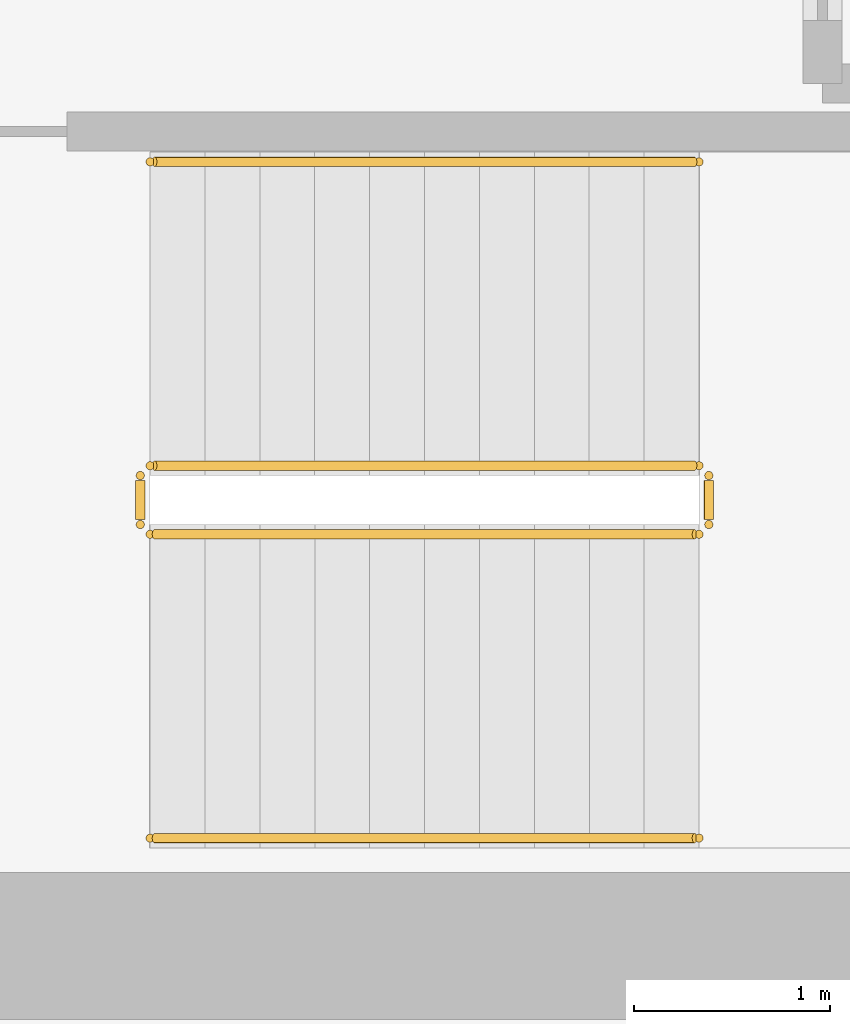
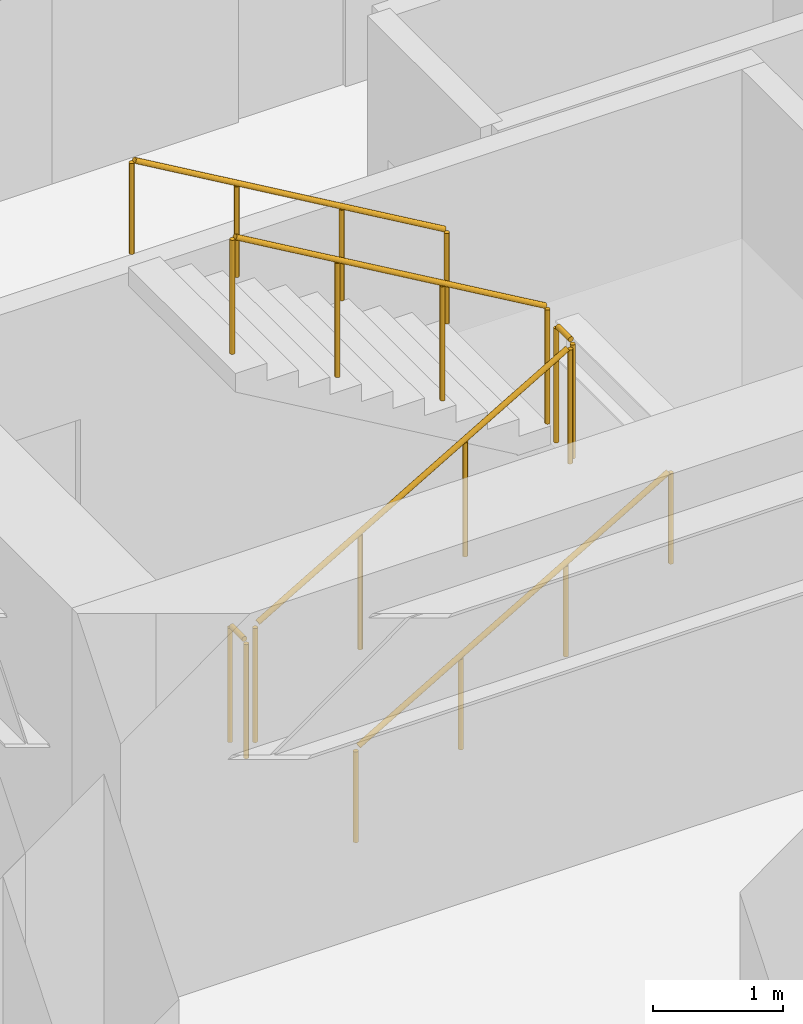
# One storey, part 12 of 12: 6 railings.
"""IFC4 building model written with IfcOpenShell, lengths in metres."""

import ifcopenshell
import ifcopenshell.guid

model = None  # the IFC model being written
_history = None  # IfcOwnerHistory: only IFC2X3 demands one
_inside = {}  # id of a spatial element -> (the spatial element, [elements in it])
_under = {}  # id of a project, library or spatial element -> (it, [spatial elements below it])
_declared = {}  # id of a project -> (the project, [libraries it declares])
_typed = {}  # id of a type object -> (the type object, [elements of that type])
_made_of = {}  # id of a material, layer set ... -> (it, [elements and type objects made of it])


def new_model(schema):
    """Start an empty IFC model of exactly this schema.

    Asked for "IFC4X3", IfcOpenShell would pick the latest addendum, in which some entities
    have other attributes; the version numbers below select the first issue.
    IFC2X3 requires an IfcOwnerHistory on every rooted entity: one is made here for all.
    """
    global model, _history
    if schema == "IFC4X3":
        model = ifcopenshell.file(schema_version=(4, 3, 0, 0))
    else:
        model = ifcopenshell.file(schema=schema)
    _inside.clear()
    _under.clear()
    _declared.clear()
    _typed.clear()
    _made_of.clear()
    _history = None
    if model.schema == "IFC2X3":
        org = make("IfcOrganization", Name="unknown")
        user = make(
            "IfcPersonAndOrganization",
            ThePerson=make("IfcPerson", FamilyName="unknown"),
            TheOrganization=org,
        )
        app = make(
            "IfcApplication",
            ApplicationDeveloper=org,
            Version="unknown",
            ApplicationFullName="unknown",
            ApplicationIdentifier="unknown",
        )
        _history = make(
            "IfcOwnerHistory",
            OwningUser=user,
            OwningApplication=app,
            ChangeAction="ADDED",
            CreationDate=0,
        )
    return model


def make(cls, **values):
    """One entity of the class cls with the attributes given. An attribute that is None is left unset."""
    return model.create_entity(
        cls, **{name: value for name, value in values.items() if value is not None}
    )


def rooted(cls, **values):
    """An entity with a GlobalId (a new one), such as an element, a storey or a relation."""
    return make(cls, GlobalId=ifcopenshell.guid.new(), OwnerHistory=_history, **values)


def si_unit(unit_type, name, prefix=None):
    """IfcSIUnit, for example si_unit("LENGTHUNIT", "METRE", prefix="MILLI")."""
    return make("IfcSIUnit", UnitType=unit_type, Prefix=prefix, Name=name)


def assignment(units):
    """IfcUnitAssignment: the units of a project."""
    return None if units is None else make("IfcUnitAssignment", Units=units)


def point(xyz):
    """IfcCartesianPoint."""
    return None if xyz is None else make("IfcCartesianPoint", Coordinates=xyz)


def direction(xyz):
    """IfcDirection."""
    return None if xyz is None else make("IfcDirection", DirectionRatios=xyz)


def frame(location, z_axis=None, x_axis=None):
    """IfcAxis2Placement3D, a coordinate frame: its origin and axes. An axis left out is left unset."""
    return make(
        "IfcAxis2Placement3D",
        Location=point(location),
        Axis=direction(z_axis),
        RefDirection=direction(x_axis),
    )


def frame_2d(location, x_axis=None):
    """IfcAxis2Placement2D, a coordinate frame in the plane: its origin and x axis."""
    return make(
        "IfcAxis2Placement2D", Location=point(location), RefDirection=direction(x_axis)
    )


def origin():
    """The frame at (0, 0, 0) with its axes left unset."""
    return frame((0.0, 0.0, 0.0))


def origin_2d():
    """The frame at (0, 0) in the plane with its x axis left unset."""
    return frame_2d((0.0, 0.0))


def place(relative_to, where):
    """IfcLocalPlacement: puts the frame where relative to a parent placement (None: the world)."""
    return make(
        "IfcLocalPlacement", PlacementRelTo=relative_to, RelativePlacement=where
    )


def context(
    kind, dimensions, precision=None, world=None, true_north=None, identifier=None
):
    """IfcGeometricRepresentationContext, for example the 3D "Model" context."""
    return make(
        "IfcGeometricRepresentationContext",
        ContextIdentifier=identifier,
        ContextType=kind,
        CoordinateSpaceDimension=dimensions,
        Precision=precision,
        WorldCoordinateSystem=world,
        TrueNorth=true_north,
    )


def subcontext(parent, identifier, kind, view, scale=None):
    """IfcGeometricRepresentationSubContext, for example "Body" below "Model"."""
    return make(
        "IfcGeometricRepresentationSubContext",
        ContextIdentifier=identifier,
        ContextType=kind,
        ParentContext=parent,
        TargetScale=scale,
        TargetView=view,
    )


def project(units=None, contexts=None):
    """IfcProject with its units and contexts."""
    return rooted(
        "IfcProject",
        Name="project",
        RepresentationContexts=contexts,
        UnitsInContext=assignment(units),
    )


def spatial(cls, under=None, at=None, **own):
    """A site, building, storey or space (cls), placed at a placement, below another one or the project."""
    s = rooted(cls, ObjectPlacement=at, **own)
    if under is not None:
        _under.setdefault(under.id(), (under, []))[1].append(s)
    return s


def profile(cls, at=None, kind="AREA", **sizes):
    """A parametric profile (cls). Its sizes go by their IFC names, for example OverallWidth=200.0."""
    return make(cls, ProfileType=kind, Position=at, **sizes)


def circle(**sizes):
    """IfcCircleProfileDef."""
    return profile("IfcCircleProfileDef", **sizes)


def extrude(swept, where, along, depth):
    """IfcExtrudedAreaSolid: the profile swept, set in the frame where, extruded along a direction by depth."""
    return make(
        "IfcExtrudedAreaSolid",
        SweptArea=swept,
        Position=where,
        ExtrudedDirection=direction(along),
        Depth=depth,
    )


def shape(context_of_items, identifier, shape_type, items):
    """IfcShapeRepresentation: the items that make up one representation, for example the "Body"."""
    return make(
        "IfcShapeRepresentation",
        ContextOfItems=context_of_items,
        RepresentationIdentifier=identifier,
        RepresentationType=shape_type,
        Items=items,
    )


def source(mapping_origin, context_of_items, identifier, shape_type, items):
    """IfcRepresentationMap: a shape defined once, which mapped items show again and again."""
    return make(
        "IfcRepresentationMap",
        MappingOrigin=mapping_origin,
        MappedRepresentation=shape(context_of_items, identifier, shape_type, items),
    )


def transform(
    local_origin,
    x_axis=None,
    y_axis=None,
    z_axis=None,
    scale=None,
    scale2=None,
    scale3=None,
    uniform=True,
):
    """IfcCartesianTransformationOperator3D, or its non-uniform kind. x_axis, y_axis, z_axis: its Axis1, 2, 3."""
    if uniform:
        return make(
            "IfcCartesianTransformationOperator3D",
            Axis1=direction(x_axis),
            Axis2=direction(y_axis),
            LocalOrigin=point(local_origin),
            Scale=scale,
            Axis3=direction(z_axis),
        )
    return make(
        "IfcCartesianTransformationOperator3DnonUniform",
        Axis1=direction(x_axis),
        Axis2=direction(y_axis),
        LocalOrigin=point(local_origin),
        Scale=scale,
        Axis3=direction(z_axis),
        Scale2=scale2,
        Scale3=scale3,
    )


def mapped(mapping_source, mapping_target):
    """IfcMappedItem: shows the shape of a source again, moved by a transform."""
    return make(
        "IfcMappedItem", MappingSource=mapping_source, MappingTarget=mapping_target
    )


def material(Name=None, Category=None):
    """IfcMaterial."""
    return make("IfcMaterial", Name=Name, Category=Category)


def layer(
    of_material, thickness, ventilated=None, Name=None, Category=None, Priority=None
):
    """IfcMaterialLayer: one layer of a wall or slab, of a material (None: an air gap)."""
    return make(
        "IfcMaterialLayer",
        Material=of_material,
        LayerThickness=thickness,
        IsVentilated=ventilated,
        Name=Name,
        Category=Category,
        Priority=Priority,
    )


def layer_set(layers, Name=None):
    """IfcMaterialLayerSet."""
    return make("IfcMaterialLayerSet", MaterialLayers=layers, LayerSetName=Name)


def made_of(thing, what):
    """Note that an element or type object is made of a material, layer set ...; save() writes the relation."""
    if what is not None:
        _made_of.setdefault(what.id(), (what, []))[1].append(thing)
    return thing


def type_object(cls, material=None, **own):
    """A type object (cls), such as IfcWallType, which elements share."""
    return made_of(rooted(cls, **own), material)


def element(
    cls,
    number,
    at=None,
    inside=None,
    cuts=None,
    type_object=None,
    material=None,
    context=None,
    identifier="Body",
    shape_type=None,
    held_by="IfcProductDefinitionShape",
    body=None,
    shapes=None,
    **own,
):
    """One element of the class cls, such as IfcWall. Its Tag is "e" and its number.

    at: its placement. inside: the storey or other place that contains it. cuts: it is an
    opening in that element (IfcRelVoidsElement). A single representation is given by context,
    identifier, shape_type and body (its items); several are given by shapes. held_by: the class
    of the entity that holds the representations. save() writes the other relations.
    """
    e = rooted(cls, Tag="e%d" % number, ObjectPlacement=at, **own)
    if body is not None:
        shapes = [shape(context, identifier, shape_type, body)]
    if shapes is not None:
        e.Representation = make(held_by, Representations=shapes)
    if inside is not None:
        _inside.setdefault(inside.id(), (inside, []))[1].append(e)
    if cuts is not None:
        rooted(
            "IfcRelVoidsElement", RelatingBuildingElement=cuts, RelatedOpeningElement=e
        )
    if type_object is not None:
        _typed.setdefault(type_object.id(), (type_object, []))[1].append(e)
    return made_of(e, material)


def aggregate(whole, parts):
    """IfcRelAggregates: a whole, such as a stair, and the parts it consists of."""
    return rooted("IfcRelAggregates", RelatingObject=whole, RelatedObjects=parts)


def save(model, path):
    """Write the relations noted so far, then the file.

    IfcRelAggregates (storeys below a building ...), IfcRelContainedInSpatialStructure (elements
    in a storey), IfcRelDefinesByType, IfcRelAssociatesMaterial and IfcRelDeclares: one each for
    every whole, place, type object, material and project.
    """
    for whole, parts in _under.values():
        aggregate(whole, parts)
    for where, things in _inside.values():
        rooted(
            "IfcRelContainedInSpatialStructure",
            RelatedElements=things,
            RelatingStructure=where,
        )
    for kind, things in _typed.values():
        rooted("IfcRelDefinesByType", RelatedObjects=things, RelatingType=kind)
    for what, things in _made_of.values():
        rooted("IfcRelAssociatesMaterial", RelatedObjects=things, RelatingMaterial=what)
    for by, libraries in _declared.values():
        rooted("IfcRelDeclares", RelatingContext=by, RelatedDefinitions=libraries)
    model.write(path)


model = new_model("IFC4")

# Units and contexts
model_context = context("Model", 3, precision=1e-05, world=origin(), true_north=direction((0.0, 1.0)))
body_context = subcontext(model_context, "Body", "Model", "MODEL_VIEW")
ifc_project = project(units=[si_unit("LENGTHUNIT", "METRE"), si_unit("AREAUNIT", "SQUARE_METRE"), si_unit("VOLUMEUNIT", "CUBIC_METRE"), si_unit("PLANEANGLEUNIT", "RADIAN"), si_unit("MASSUNIT", "GRAM", prefix="KILO")], contexts=[model_context])

# Site, building, storey
site_placement = place(None, origin())
site = spatial("IfcSite", under=ifc_project, at=site_placement, CompositionType="ELEMENT")
building_placement = place(site_placement, origin())
building = spatial("IfcBuilding", under=site, at=building_placement, Name="Kharzan Plaza Tower", CompositionType="ELEMENT")
storey_placement = place(building_placement, frame((0.0, 0.0, 117.0)))
storey = spatial("IfcBuildingStorey", under=building, at=storey_placement, Name="L31", CompositionType="ELEMENT", Elevation=117.0)

# Railings
ifc_material_1 = material(Name="Painted Galvanized Architectural Steel", Category="steel")
ifc_layer_1 = layer(ifc_material_1, 0.074951171875)
ifc_layer_set_1 = layer_set([ifc_layer_1], Name="Painted Galvanized Architectural Steel")
railing_type_1 = type_object("IfcRailingType", Name="RL-GUARD-1120", PredefinedType="BALUSTRADE", material=ifc_layer_set_1)
shared_shape_1 = source(origin(), body_context, "Body", "SweptSolid", [
    extrude(circle(Radius=0.02392578125, at=origin_2d()), frame((0.0, 0.0263671875, 1.09619140625), z_axis=(0.0, 1.0, 0.0), x_axis=(-1.0, 0.0, 0.0)), (0.0, 0.0, 1.0), 0.197021484375),
    extrude(circle(Radius=0.02099609375, at=origin_2d()), origin(), (0.0, 0.0, 1.0), 1.072021484375),
    extrude(circle(Radius=0.02099609375, at=origin_2d()), frame((0.0, 0.25, 0.0)), (0.0, 0.0, 1.0), 1.072021484375),
])
for number, where, name in (
    (1, (41.10009765625, 6.64990234375, 1.800048828125), "L31 ST-3 stair guard 2"),
    (2, (38.199951171875, 6.64990234375, 0.0), "L31 ST-3 stair guard 4"),
):
    element("IfcRailing", number, at=place(storey_placement, frame(where)), inside=storey, type_object=railing_type_1, Name=name, PredefinedType="BALUSTRADE", context=body_context, shape_type="MappedRepresentation", body=[
        mapped(shared_shape_1, transform((0.0, 0.0, 0.0), x_axis=(1.0, 0.0, 0.0), y_axis=(0.0, 1.0, 0.0), z_axis=(0.0, 0.0, 1.0))),
    ])
shared_shape_2 = source(origin(), body_context, "Body", "SweptSolid", [
    extrude(circle(Radius=0.02392578125, at=origin_2d()), frame((0.02294921875, 0.0, 1.109375), z_axis=(0.863360870873, 0.0, 0.504586966384), x_axis=(0.0, 1.0, 0.0)), (0.0, 0.0, 1.0), 3.190185546875),
    extrude(circle(Radius=0.02099609375, at=origin_2d()), origin(), (0.0, 0.0, 1.0), 1.072021484375),
    extrude(circle(Radius=0.02099609375, at=origin_2d()), frame((0.933349609375, 0.0, 0.54541015625)), (0.0, 0.0, 1.0), 1.072021484375),
    extrude(circle(Radius=0.02099609375, at=origin_2d()), frame((1.86669921875, 0.0, 1.091064453125)), (0.0, 0.0, 1.0), 1.072021484375),
    extrude(circle(Radius=0.02099609375, at=origin_2d()), frame((2.800048828125, 0.0, 1.636474609375)), (0.0, 0.0, 1.0), 1.072021484375),
])
railing_1_placement = place(storey_placement, frame((38.25, 6.60009765625, 0.16357421875)))
element("IfcRailing", 3, at=railing_1_placement, inside=storey, type_object=railing_type_1, Name="L31 ST-3 stair guard 1", PredefinedType="BALUSTRADE", context=body_context, shape_type="MappedRepresentation", body=[
    mapped(shared_shape_2, transform((0.0, 0.0, 0.0), x_axis=(1.0, 0.0, 0.0), y_axis=(0.0, 1.0, 0.0), z_axis=(0.0, 0.0, 1.0))),
])
shared_shape_3 = source(origin(), body_context, "Body", "SweptSolid", [
    extrude(circle(Radius=0.02392578125, at=origin_2d()), frame((-0.02294921875, 0.0, 1.109375), z_axis=(-0.863360870873, 0.0, 0.504586966384), x_axis=(0.0, -1.0, 0.0)), (0.0, 0.0, 1.0), 3.190185546875),
    extrude(circle(Radius=0.02099609375, at=origin_2d()), origin(), (0.0, 0.0, 1.0), 1.072021484375),
    extrude(circle(Radius=0.02099609375, at=origin_2d()), frame((-0.933349609375, 0.0, 0.54541015625)), (0.0, 0.0, 1.0), 1.072021484375),
    extrude(circle(Radius=0.02099609375, at=origin_2d()), frame((-1.86669921875, 0.0, 1.091064453125)), (0.0, 0.0, 1.0), 1.072021484375),
    extrude(circle(Radius=0.02099609375, at=origin_2d()), frame((-2.800048828125, 0.0, 1.636474609375)), (0.0, 0.0, 1.0), 1.072021484375),
])
railing_2_placement = place(storey_placement, frame((41.050048828125, 6.949951171875, 1.963623046875)))
element("IfcRailing", 4, at=railing_2_placement, inside=storey, type_object=railing_type_1, Name="L31 ST-3 stair guard 3", PredefinedType="BALUSTRADE", context=body_context, shape_type="MappedRepresentation", body=[
    mapped(shared_shape_3, transform((0.0, 0.0, 0.0), x_axis=(1.0, 0.0, 0.0), y_axis=(0.0, 1.0, 0.0), z_axis=(0.0, 0.0, 1.0))),
])
ifc_material_2 = material(Name="Brushed Stainless Steel", Category="steel")
ifc_layer_2 = layer(ifc_material_2, 0.050048828125)
ifc_layer_set_2 = layer_set([ifc_layer_2], Name="Brushed Stainless Steel")
railing_type_2 = type_object("IfcRailingType", Name="RL-STAIR-HR920", PredefinedType="HANDRAIL", material=ifc_layer_set_2)
shared_shape_4 = source(origin(), body_context, "Body", "SweptSolid", [
    extrude(circle(Radius=0.02392578125, at=origin_2d()), frame((0.02294921875, 0.0, 0.88916015625), z_axis=(0.863360870873, 0.0, 0.504586966384), x_axis=(0.0, 1.0, 0.0)), (0.0, 0.0, 1.0), 3.190185546875),
    extrude(circle(Radius=0.02099609375, at=origin_2d()), origin(), (0.0, 0.0, 1.0), 0.851806640625),
    extrude(circle(Radius=0.02099609375, at=origin_2d()), frame((0.933349609375, 0.0, 0.54541015625)), (0.0, 0.0, 1.0), 0.851806640625),
    extrude(circle(Radius=0.02099609375, at=origin_2d()), frame((1.86669921875, 0.0, 1.091064453125)), (0.0, 0.0, 1.0), 0.851806640625),
    extrude(circle(Radius=0.02099609375, at=origin_2d()), frame((2.800048828125, 0.0, 1.636474609375)), (0.0, 0.0, 1.0), 0.851806640625),
])
railing_3_placement = place(storey_placement, frame((38.25, 5.050048828125, 0.16357421875)))
element("IfcRailing", 5, at=railing_3_placement, inside=storey, type_object=railing_type_2, Name="L31 ST-3 stair handrail 1", PredefinedType="HANDRAIL", context=body_context, shape_type="MappedRepresentation", body=[
    mapped(shared_shape_4, transform((0.0, 0.0, 0.0), x_axis=(1.0, 0.0, 0.0), y_axis=(0.0, 1.0, 0.0), z_axis=(0.0, 0.0, 1.0))),
])
shared_shape_5 = source(origin(), body_context, "Body", "SweptSolid", [
    extrude(circle(Radius=0.02392578125, at=origin_2d()), frame((-0.02294921875, 0.0, 0.88916015625), z_axis=(-0.863360870873, 0.0, 0.504586966384), x_axis=(0.0, -1.0, 0.0)), (0.0, 0.0, 1.0), 3.190185546875),
    extrude(circle(Radius=0.02099609375, at=origin_2d()), origin(), (0.0, 0.0, 1.0), 0.851806640625),
    extrude(circle(Radius=0.02099609375, at=origin_2d()), frame((-0.933349609375, 0.0, 0.54541015625)), (0.0, 0.0, 1.0), 0.851806640625),
    extrude(circle(Radius=0.02099609375, at=origin_2d()), frame((-1.86669921875, 0.0, 1.091064453125)), (0.0, 0.0, 1.0), 0.851806640625),
    extrude(circle(Radius=0.02099609375, at=origin_2d()), frame((-2.800048828125, 0.0, 1.636474609375)), (0.0, 0.0, 1.0), 0.851806640625),
])
railing_4_placement = place(storey_placement, frame((41.050048828125, 8.5, 1.963623046875)))
element("IfcRailing", 6, at=railing_4_placement, inside=storey, type_object=railing_type_2, Name="L31 ST-3 stair handrail 2", PredefinedType="HANDRAIL", context=body_context, shape_type="MappedRepresentation", body=[
    mapped(shared_shape_5, transform((0.0, 0.0, 0.0), x_axis=(1.0, 0.0, 0.0), y_axis=(0.0, 1.0, 0.0), z_axis=(0.0, 0.0, 1.0))),
])

save(model, "model.ifc")
